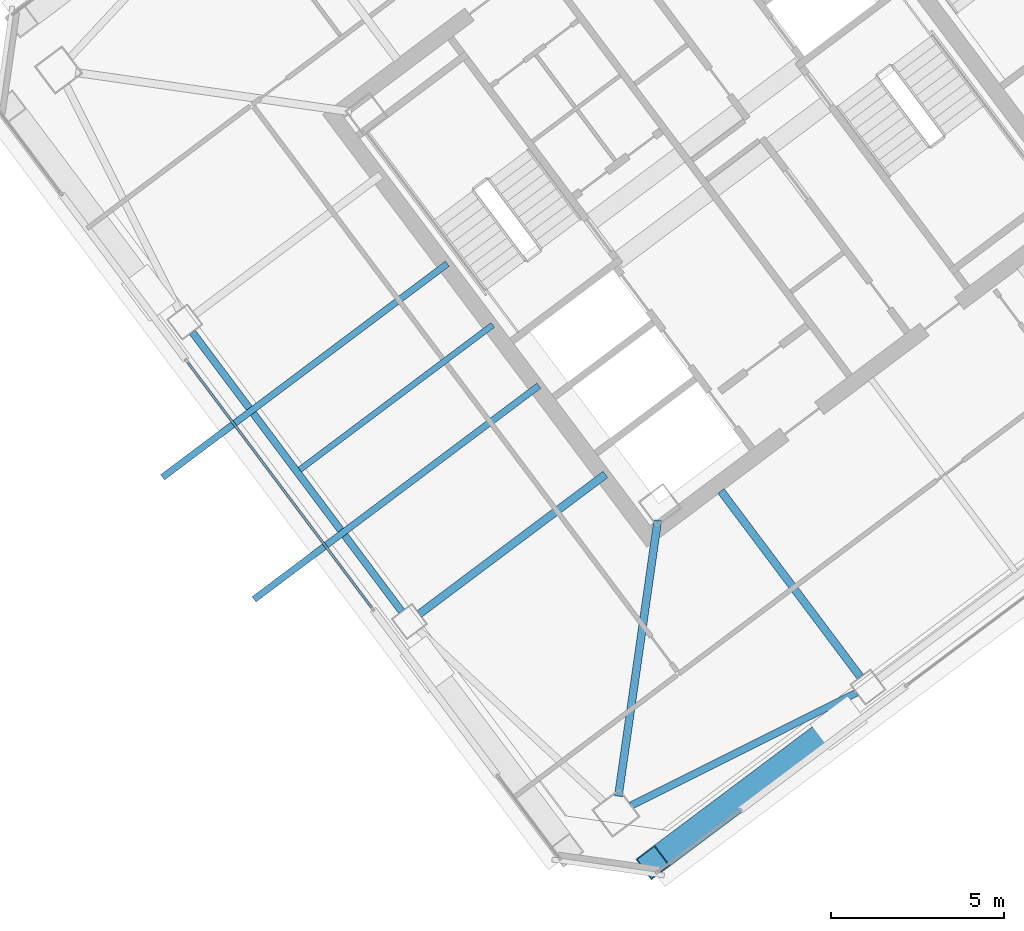
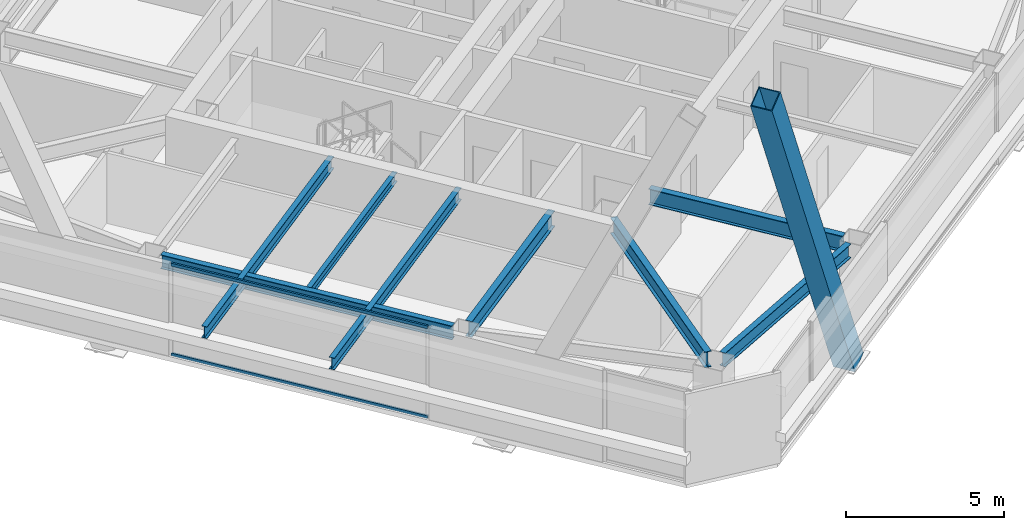
# One storey, part 29 of 56: 8 beams, 3 members, 1 element without a shape of its own.
"""IFC4 building model written with IfcOpenShell, lengths in metres."""

from ifc_helpers import new_model, si_unit, direction, frame, origin, origin_2d, place, context, subcontext, project, spatial, hollow_rectangle, i_section, extrude, material, material_profile, profile_set, type_object, element, aggregate, save


model = new_model("IFC4")

# Units and contexts
model_context = context("Model", 3, precision=1e-05, world=origin(), true_north=direction((0.0, 1.0)))
body_context = subcontext(model_context, "Body", "Model", "MODEL_VIEW")
ifc_project = project(units=[si_unit("LENGTHUNIT", "METRE"), si_unit("AREAUNIT", "SQUARE_METRE"), si_unit("VOLUMEUNIT", "CUBIC_METRE"), si_unit("PLANEANGLEUNIT", "RADIAN"), si_unit("MASSUNIT", "GRAM", prefix="KILO")], contexts=[model_context])

# Site, building, storey
site_placement = place(None, origin())
site = spatial("IfcSite", under=ifc_project, at=site_placement, CompositionType="ELEMENT")
building_placement = place(site_placement, origin())
building = spatial("IfcBuilding", under=site, at=building_placement, Name="Tashvorn Skyway Center", CompositionType="ELEMENT")
storey_placement = place(building_placement, frame((0.0, 0.0, 218.39990234375)))
storey = spatial("IfcBuildingStorey", under=building, at=storey_placement, Name="L59", CompositionType="ELEMENT", Elevation=218.39990234375)

# Beams
ifc_material_1 = material(Name="Steel ASTM A992 Grade 50", Category="steel")
ifc_material_profile_1 = material_profile(ifc_material_1, i_section(OverallWidth=0.22998046875, OverallDepth=0.616943359375, WebThickness=0.01318359375, FlangeThickness=0.022216796875, at=origin_2d()), Name="W24X94")
ifc_profile_set_1 = profile_set([ifc_material_profile_1], Name="Steel ASTM A992 Grade 50")
beam_type_1 = type_object("IfcBeamType", Name="BM-BEAM-W24X94", PredefinedType="BEAM", material=ifc_profile_set_1)
beam_1_placement = place(storey_placement, frame((111.389892578125, 13.72998046875, 3.0615234375), z_axis=(0.141438360399, 0.989947064346, 0.0), x_axis=(-0.989947064346, 0.141438360399, 0.0)))
element("IfcBeam", 1, at=beam_1_placement, inside=storey, type_object=beam_type_1, Name="Tower 2 L59 Primary Floor Girder MC-SW", PredefinedType="BEAM", context=body_context, shape_type="SweptSolid", body=[
    extrude(i_section(OverallWidth=0.22998046875, OverallDepth=0.616943359375, WebThickness=0.01318359375, FlangeThickness=0.022216796875, at=origin_2d()), origin(), (0.0, 0.0, 1.0), 8.040283203125),
])
beam_2_placement = place(storey_placement, frame((118.367919921875, 17.176025390625, 3.0615234375), z_axis=(-0.600011660554, 0.799991254452, 0.0), x_axis=(-0.799991254452, -0.600011660554, 0.0)))
element("IfcBeam", 2, at=beam_2_placement, inside=storey, type_object=beam_type_1, Name="Tower 2 L59 Primary Floor Girder FC-S1", PredefinedType="BEAM", context=body_context, shape_type="SweptSolid", body=[
    extrude(i_section(OverallWidth=0.22998046875, OverallDepth=0.616943359375, WebThickness=0.01318359375, FlangeThickness=0.022216796875, at=origin_2d()), origin(), (0.0, 0.0, 1.0), 6.699951171875),
])
beam_3_placement = place(storey_placement, frame((105.656005859375, 18.991943359375, 3.0615234375), z_axis=(0.800004372583, 0.599994169845, 0.0), x_axis=(-0.599994169845, 0.800004372583, 0.0)))
element("IfcBeam", 3, at=beam_3_placement, inside=storey, type_object=beam_type_1, Name="Tower 2 L59 Primary Floor Girder FC-W2", PredefinedType="BEAM", context=body_context, shape_type="SweptSolid", body=[
    extrude(i_section(OverallWidth=0.22998046875, OverallDepth=0.616943359375, WebThickness=0.01318359375, FlangeThickness=0.022216796875, at=origin_2d()), origin(), (0.0, 0.0, 1.0), 6.7001953125),
])
ifc_material_profile_2 = material_profile(ifc_material_1, i_section(OverallWidth=0.1708984375, OverallDepth=0.35498046875, WebThickness=0.007080078125, FlangeThickness=0.01171875, at=origin_2d()), Name="W14X34")
ifc_profile_set_2 = profile_set([ifc_material_profile_2], Name="Steel ASTM A992 Grade 50")
beam_type_2 = type_object("IfcBeamType", Name="BM-JOIST-W14X34", PredefinedType="JOIST", material=ifc_profile_set_2)
beam_4_placement = place(storey_placement, frame((107.76806640625, 27.325927734375, 3.192626953125), z_axis=(-0.800004207761, -0.599994389612, 0.0), x_axis=(0.599994389612, -0.800004207761, 0.0)))
element("IfcBeam", 4, at=beam_4_placement, inside=storey, type_object=beam_type_2, Name="Tower 2 L59 Secondary Composite Joist JW", PredefinedType="JOIST", context=body_context, shape_type="SweptSolid", body=[
    extrude(i_section(OverallWidth=0.1708984375, OverallDepth=0.35498046875, WebThickness=0.007080078125, FlangeThickness=0.01171875, at=origin_2d()), origin(), (0.0, 0.0, 1.0), 6.962646484375),
])
ifc_material_profile_3 = material_profile(ifc_material_1, i_section(OverallWidth=0.19091796875, OverallDepth=0.4599609375, WebThickness=0.010009765625, FlangeThickness=0.01611328125, at=origin_2d()), Name="W18X55")
ifc_profile_set_3 = profile_set([ifc_material_profile_3], Name="Steel ASTM A992 Grade 50")
beam_type_3 = type_object("IfcBeamType", Name="BM-JOIST-W18X55", PredefinedType="JOIST", material=ifc_profile_set_3)
for number, where, z_axis, x_axis, name in (
    (5, (109.095947265625, 25.572021484375, 3.14013671875), (-0.799997147358, -0.600003803504, 0.0), (0.600003803504, -0.799997147358, 0.0), "Tower 2 L60 Terrace Cantilever Outlooker 1"),
    (6, (106.4560546875, 29.092041015625, 3.14013671875), (-0.799997147358, -0.600003803504, 0.0), (0.600003803504, -0.799997147358, 0.0), "Tower 2 L60 Terrace Cantilever Outlooker 2"),
):
    element("IfcBeam", number, at=place(storey_placement, frame(where, z_axis=z_axis, x_axis=x_axis)), inside=storey, type_object=beam_type_3, Name=name, PredefinedType="JOIST", context=body_context, shape_type="SweptSolid", body=[
        extrude(i_section(OverallWidth=0.19091796875, OverallDepth=0.4599609375, WebThickness=0.010009765625, FlangeThickness=0.01611328125, at=origin_2d()), origin(), (0.0, 0.0, 1.0), 10.27001953125),
    ])
ifc_material_profile_4 = material_profile(ifc_material_1, i_section(OverallWidth=0.2109375, OverallDepth=0.5390625, WebThickness=0.01171875, FlangeThickness=0.018798828125, at=origin_2d()), Name="W21X73")
ifc_profile_set_4 = profile_set([ifc_material_profile_4], Name="Steel ASTM A992 Grade 50")
beam_type_4 = type_object("IfcBeamType", Name="BM-SPANDREL-W21X73", PredefinedType="SPANDREL", material=ifc_profile_set_4)
beam_5_placement = place(storey_placement, frame((111.7626953125, 13.461669921875, 3.1005859375), z_axis=(0.894178380472, 0.447710870872, 0.0), x_axis=(-0.447710870872, 0.894178380472, 0.0)))
element("IfcBeam", 7, at=beam_5_placement, inside=storey, type_object=beam_type_4, Name="Tower 2 L59 Spandrel Beam 01", PredefinedType="SPANDREL", context=body_context, shape_type="SweptSolid", body=[
    extrude(i_section(OverallWidth=0.2109375, OverallDepth=0.5390625, WebThickness=0.01171875, FlangeThickness=0.018798828125, at=origin_2d()), origin(), (0.0, 0.0, 1.0), 7.26513671875),
])
beam_6_placement = place(storey_placement, frame((99.10205078125, 27.114013671875, 3.1005859375), z_axis=(0.599988351091, -0.800008736549, 0.0), x_axis=(0.800008736549, 0.599988351091, 0.0)))
element("IfcBeam", 8, at=beam_6_placement, inside=storey, type_object=beam_type_4, Name="Tower 2 L59 Spandrel Beam 11", PredefinedType="SPANDREL", context=body_context, shape_type="SweptSolid", body=[
    extrude(i_section(OverallWidth=0.2109375, OverallDepth=0.5390625, WebThickness=0.01171875, FlangeThickness=0.018798828125, at=origin_2d()), origin(), (0.0, 0.0, 1.0), 10.06005859375),
])

# Curtain wall, members
ifc_material_2 = material(Name="Thermally broken bronze-anodized aluminium 6063-T6", Category="aluminium")
curtain_wall_type = type_object("IfcCurtainWallType", Name="CW-CW-Z5", PredefinedType="NOTDEFINED", material=ifc_material_2)
curtain_wall_placement = place(storey_placement, origin())
curtain_wall = element("IfcCurtainWall", 9, at=curtain_wall_placement, inside=storey, type_object=curtain_wall_type, Name="Tower 2 L59 West Unitised Curtain Wall Glazing Group 2", PredefinedType="NOTDEFINED")
ifc_material_profile_5 = material_profile(ifc_material_2, hollow_rectangle(XDim=0.070068359375, YDim=0.114990234375, WallThickness=0.00390625, at=origin_2d()), Name="ALU-TRAN-70x115")
ifc_profile_set_5 = profile_set([ifc_material_profile_5], Name="Thermally broken bronze-anodized aluminium 6063-T6")
member_type_1 = type_object("IfcMemberType", Name="CWT-CW-Z5", PredefinedType="USERDEFINED", material=ifc_profile_set_5)
member_1_placement = place(storey_placement, frame((104.27001953125, 19.17333984375, 0.03515625), z_axis=(-0.600004415441, 0.799996688401, 0.0), x_axis=(-0.799996688401, -0.600004415441, 0.0)))
member_1 = element("IfcMember", 10, at=member_1_placement, type_object=member_type_1, Name="CW-Z5 transom 1.1", ObjectType="TRANSOM", PredefinedType="USERDEFINED", context=body_context, shape_type="SweptSolid", body=[
    extrude(hollow_rectangle(XDim=0.070068359375, YDim=0.114990234375, WallThickness=0.00390625, at=origin_2d()), origin(), (0.0, 0.0, 1.0), 8.8466796875),
])
member_2_placement = place(storey_placement, frame((104.27001953125, 19.17333984375, 3.51513671875), z_axis=(-0.600004415441, 0.799996688401, 0.0), x_axis=(-0.799996688401, -0.600004415441, 0.0)))
member_2 = element("IfcMember", 11, at=member_2_placement, type_object=member_type_1, Name="CW-Z5 transom 1.2", ObjectType="TRANSOM", PredefinedType="USERDEFINED", context=body_context, shape_type="SweptSolid", body=[
    extrude(hollow_rectangle(XDim=0.070068359375, YDim=0.114990234375, WallThickness=0.00390625, at=origin_2d()), origin(), (0.0, 0.0, 1.0), 8.8466796875),
])
aggregate(curtain_wall, [member_1, member_2])

# Member
ifc_material_3 = material(Name="Steel ASTM A572 Grade 50", Category="steel")
ifc_material_profile_6 = material_profile(ifc_material_3, hollow_rectangle(XDim=0.75, YDim=0.75, WallThickness=0.031982421875, at=origin_2d()), Name="BOX750x750x32")
ifc_profile_set_6 = profile_set([ifc_material_profile_6], Name="Steel ASTM A572 Grade 50")
member_type_2 = type_object("IfcMemberType", Name="MEM-MB-750", PredefinedType="BRACE", material=ifc_profile_set_6)
member_3_placement = place(storey_placement, frame((117.748046875, 15.8359375, -0.449951171875), z_axis=(-0.337098676152, -0.252820168596, 0.906888330991), x_axis=(0.599994169845, -0.800004372583, 0.0)))
element("IfcMember", 12, at=member_3_placement, inside=storey, type_object=member_type_2, Name="Tower 2 Zone 5 S Chevron Mega-Brace L2", PredefinedType="BRACE", context=body_context, shape_type="SweptSolid", body=[
    extrude(hollow_rectangle(XDim=0.75, YDim=0.75, WallThickness=0.031982421875, at=origin_2d()), origin(), (0.0, 0.0, 1.0), 15.900634765625),
])

save(model, "model.ifc")
